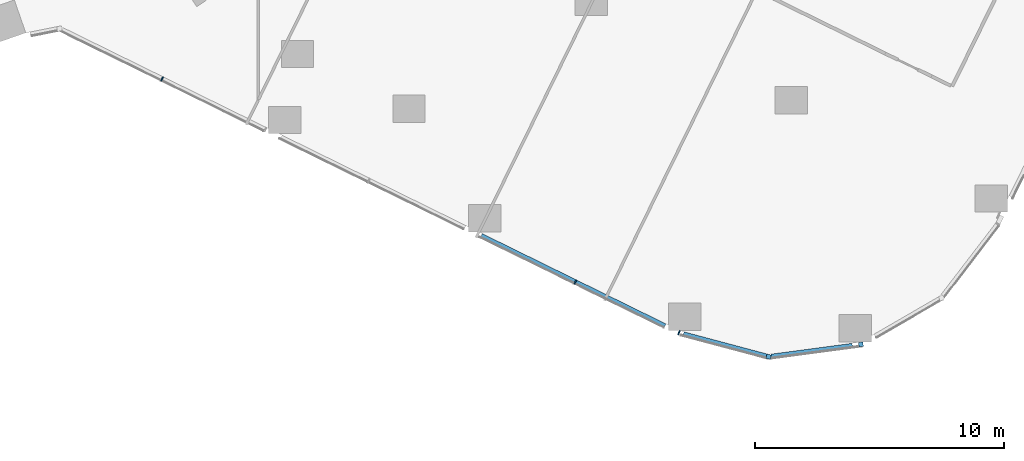
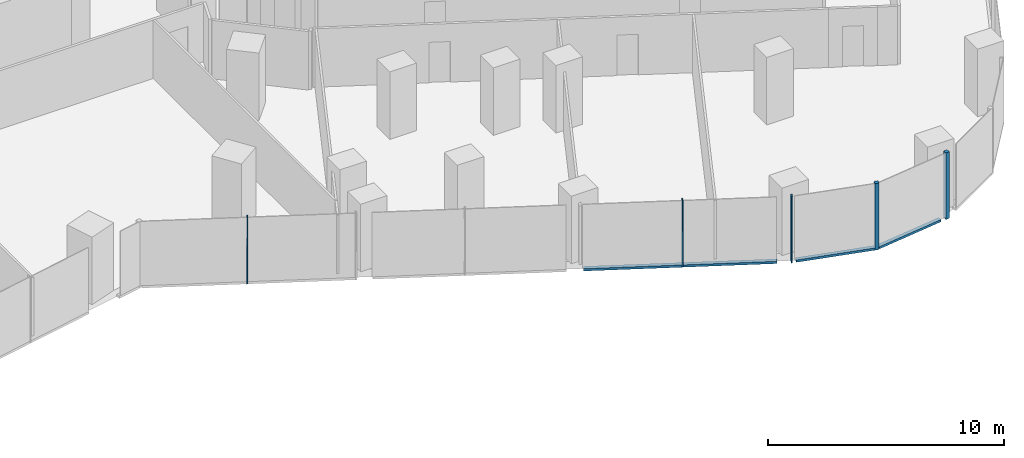
# One storey, part 8 of 38: 8 members, 3 elements without a shape of their own.
"""IFC4 building model written with IfcOpenShell, lengths in metres."""

from ifc_helpers import new_model, si_unit, direction, frame, origin, origin_2d, place, context, subcontext, project, spatial, rectangle, extrude, material, material_profile, profile_set, type_object, element, aggregate, save


model = new_model("IFC4")

# Units and contexts
model_context = context("Model", 3, precision=1e-05, world=origin(), true_north=direction((0.0, 1.0)))
body_context = subcontext(model_context, "Body", "Model", "MODEL_VIEW")
ifc_project = project(units=[si_unit("LENGTHUNIT", "METRE"), si_unit("AREAUNIT", "SQUARE_METRE"), si_unit("VOLUMEUNIT", "CUBIC_METRE"), si_unit("PLANEANGLEUNIT", "RADIAN"), si_unit("MASSUNIT", "GRAM", prefix="KILO")], contexts=[model_context])

# Site, building, storey
site_placement = place(None, origin())
site = spatial("IfcSite", under=ifc_project, at=site_placement, CompositionType="ELEMENT")
building_placement = place(site_placement, origin())
building = spatial("IfcBuilding", under=site, at=building_placement, Name="Orlundy Tower", CompositionType="ELEMENT")
storey_placement = place(building_placement, frame((0.0, 0.0, 72.800048828125)))
storey = spatial("IfcBuildingStorey", under=building, at=storey_placement, Name="L17", CompositionType="ELEMENT", Elevation=72.800048828125)

# Curtain wall, member
ifc_material_1 = material(Name="Aluminium bronze anodised", Category="aluminium")
curtain_wall_type = type_object("IfcCurtainWallType", Name="CW1 wall", PredefinedType="NOTDEFINED", material=ifc_material_1)
curtain_wall_1_placement = place(storey_placement, origin())
curtain_wall_1 = element("IfcCurtainWall", 1, at=curtain_wall_1_placement, inside=storey, type_object=curtain_wall_type, Name="CW1 run 026", PredefinedType="NOTDEFINED")
ifc_material_2 = material(Name="Aluminium bronze anodised", Category="aluminium")
ifc_material_profile_1 = material_profile(ifc_material_2, rectangle(XDim=0.179931640625, YDim=0.179931640625, at=origin_2d()), Name="CW1 corner post 180x180")
ifc_profile_set_1 = profile_set([ifc_material_profile_1], Name="Aluminium bronze anodised")
member_type_1 = type_object("IfcMemberType", Name="CW1 corner post 180x180", PredefinedType="MULLION", material=ifc_profile_set_1)
member_1_placement = place(storey_placement, frame((44.23974609375, -40.991943359375, -0.400146484375), z_axis=(0.0, 0.0, 1.0), x_axis=(0.132163720098, -0.991227900682, 0.0)))
member_1 = element("IfcMember", 2, at=member_1_placement, type_object=member_type_1, Name="CW1 mullion 67", PredefinedType="MULLION", context=body_context, shape_type="SweptSolid", body=[
    extrude(rectangle(XDim=0.179931640625, YDim=0.179931640625, at=origin_2d()), origin(), (0.0, 0.0, 1.0), 3.4501953125),
])

curtain_wall_2_placement = place(storey_placement, origin())
curtain_wall_2 = element("IfcCurtainWall", 3, at=curtain_wall_2_placement, inside=storey, type_object=curtain_wall_type, Name="CW1 run 027", PredefinedType="NOTDEFINED")
member_2_placement = place(storey_placement, frame((40.529052734375, -41.486572265625, -0.400146484375), z_axis=(0.0, 0.0, 1.0), x_axis=(-0.25767944438, -0.966230461093, 0.0)))
member_2 = element("IfcMember", 4, at=member_2_placement, type_object=member_type_1, Name="CW1 mullion 68", PredefinedType="MULLION", context=body_context, shape_type="SweptSolid", body=[
    extrude(rectangle(XDim=0.179931640625, YDim=0.179931640625, at=origin_2d()), origin(), (0.0, 0.0, 1.0), 3.4501953125),
])

# Curtain wall, members
curtain_wall_3_placement = place(storey_placement, origin())
curtain_wall_3 = element("IfcCurtainWall", 5, at=curtain_wall_3_placement, inside=storey, type_object=curtain_wall_type, Name="CW1 run 00", PredefinedType="NOTDEFINED")
ifc_material_3 = material(Name="Aluminium bronze anodised", Category="aluminium")
ifc_material_profile_2 = material_profile(ifc_material_3, rectangle(XDim=0.179931640625, YDim=0.050048828125, at=origin_2d()), Name="CW1 mullion 50x180")
ifc_profile_set_2 = profile_set([ifc_material_profile_2], Name="Aluminium bronze anodised")
member_type_2 = type_object("IfcMemberType", Name="CW1 mullion 50x180", PredefinedType="MULLION", material=ifc_profile_set_2)
member_3_placement = place(storey_placement, frame((36.92236328125, -40.524658203125, -0.400146484375), z_axis=(0.0, 0.0, 1.0), x_axis=(-0.351009416126, -0.936371929198, 0.0)))
member_3 = element("IfcMember", 6, at=member_3_placement, type_object=member_type_2, Name="CW1 mullion 1", PredefinedType="MULLION", context=body_context, shape_type="SweptSolid", body=[
    extrude(rectangle(XDim=0.179931640625, YDim=0.050048828125, at=origin_2d()), origin(), (0.0, 0.0, 1.0), 3.4501953125),
])
member_4_placement = place(storey_placement, frame((32.758056640625, -38.478759765625, -0.400146484375), z_axis=(0.0, 0.0, 1.0), x_axis=(-0.440968989984, -0.897522339484, 0.0)))
member_4 = element("IfcMember", 7, at=member_4_placement, type_object=member_type_2, Name="CW1 mullion 2", PredefinedType="MULLION", context=body_context, shape_type="SweptSolid", body=[
    extrude(rectangle(XDim=0.179931640625, YDim=0.050048828125, at=origin_2d()), origin(), (0.0, 0.0, 1.0), 3.4501953125),
])
member_5_placement = place(storey_placement, frame((16.133544921875, -30.310791015625, -0.400146484375), z_axis=(0.0, 0.0, 1.0), x_axis=(-0.440968989984, -0.897522339484, 0.0)))
member_5 = element("IfcMember", 8, at=member_5_placement, type_object=member_type_2, Name="CW1 mullion 6", PredefinedType="MULLION", context=body_context, shape_type="SweptSolid", body=[
    extrude(rectangle(XDim=0.179931640625, YDim=0.050048828125, at=origin_2d()), origin(), (0.0, 0.0, 1.0), 3.4501953125),
])
ifc_material_4 = material(Name="Aluminium bronze anodised", Category="aluminium")
ifc_material_profile_3 = material_profile(ifc_material_4, rectangle(XDim=0.179931640625, YDim=0.1201171875, at=origin_2d()), Name="CW1 transom 180x120")
ifc_profile_set_3 = profile_set([ifc_material_profile_3], Name="Aluminium bronze anodised")
member_type_3 = type_object("IfcMemberType", Name="CW1 transom 180x120", PredefinedType="USERDEFINED", material=ifc_profile_set_3)
member_6_placement = place(storey_placement, frame((36.35791015625, -40.24755859375, -0.340087890625), z_axis=(-0.897508396763, 0.440997367045, 0.0), x_axis=(-0.440997367045, -0.897508396763, 0.0)))
member_6 = element("IfcMember", 9, at=member_6_placement, type_object=member_type_3, Name="CW1 transom", ObjectType="TRANSOM", PredefinedType="USERDEFINED", context=body_context, shape_type="SweptSolid", body=[
    extrude(rectangle(XDim=0.179931640625, YDim=0.1201171875, at=origin_2d()), origin(), (0.0, 0.0, 1.0), 8.23046875),
])
aggregate(curtain_wall_3, [member_3, member_4, member_5, member_6])

# Member
member_7_placement = place(storey_placement, frame((43.8935546875, -41.0380859375, -0.340087890625), z_axis=(-0.991234367235, -0.13211521189, 0.0), x_axis=(0.13211521189, -0.991234367235, 0.0)))
member_7 = element("IfcMember", 10, at=member_7_placement, type_object=member_type_3, Name="CW1 transom", ObjectType="TRANSOM", PredefinedType="USERDEFINED", context=body_context, shape_type="SweptSolid", body=[
    extrude(rectangle(XDim=0.179931640625, YDim=0.1201171875, at=origin_2d()), origin(), (0.0, 0.0, 1.0), 3.296630859375),
])

aggregate(curtain_wall_1, [member_1, member_7])

member_8_placement = place(storey_placement, frame((40.442138671875, -41.46337890625, -0.340087890625), z_axis=(-0.966229075732, 0.257684639064, 0.0), x_axis=(-0.257684639064, -0.966229075732, 0.0)))
member_8 = element("IfcMember", 11, at=member_8_placement, type_object=member_type_3, Name="CW1 transom", ObjectType="TRANSOM", PredefinedType="USERDEFINED", context=body_context, shape_type="SweptSolid", body=[
    extrude(rectangle(XDim=0.179931640625, YDim=0.1201171875, at=origin_2d()), origin(), (0.0, 0.0, 1.0), 3.455322265625),
])

aggregate(curtain_wall_2, [member_2, member_8])

save(model, "model.ifc")
